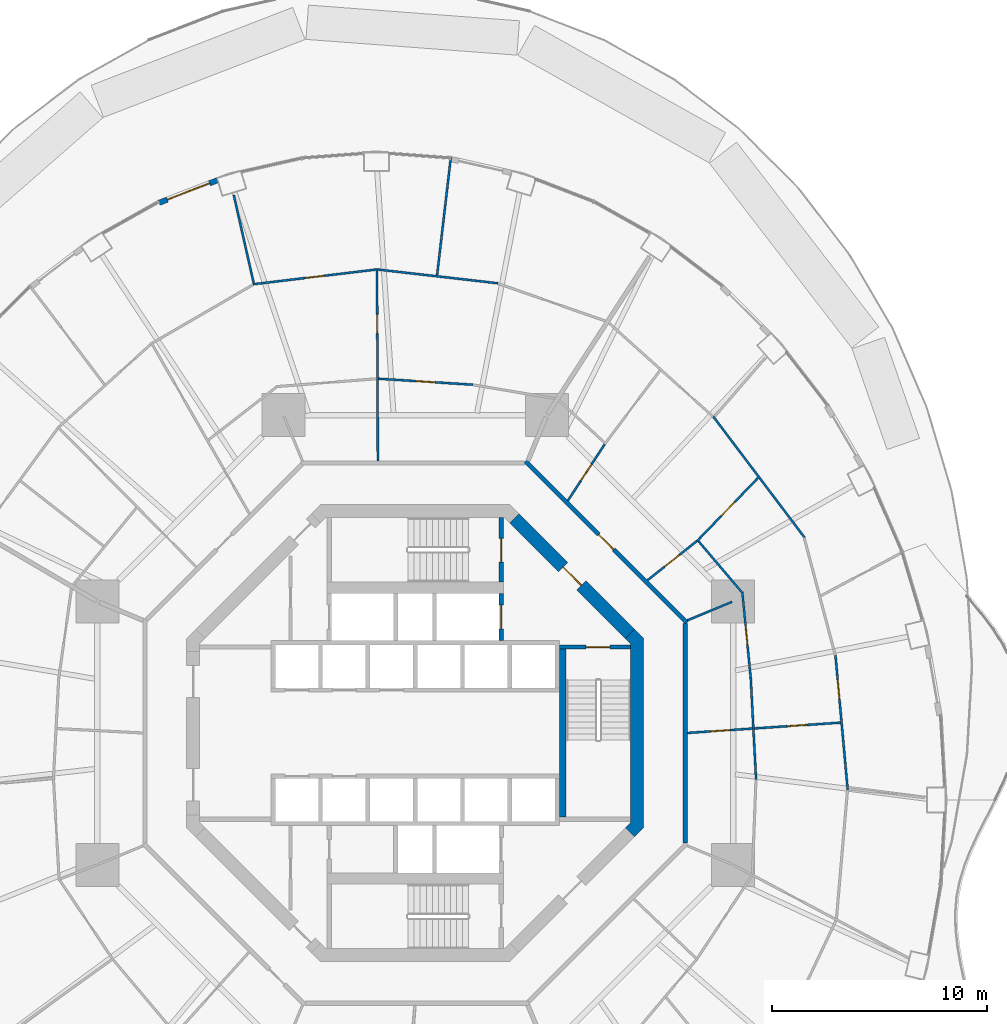
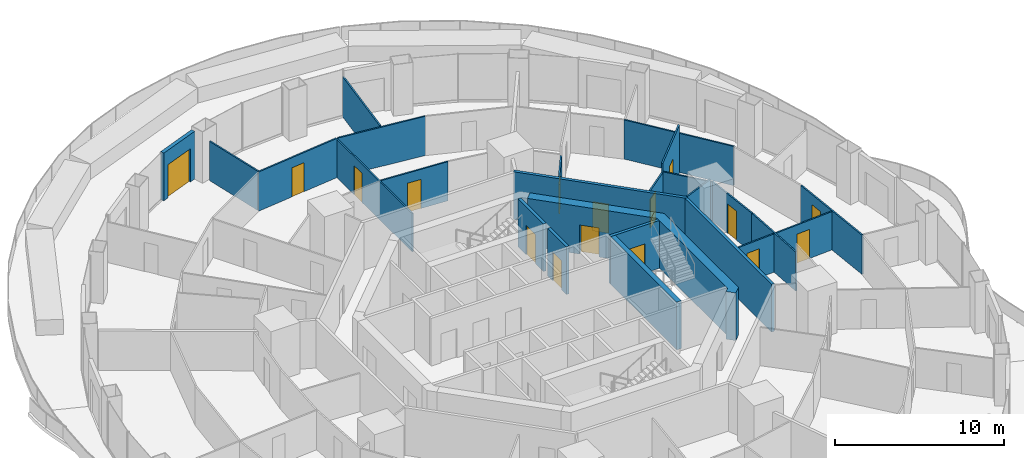
# One storey, part 16 of 20: 25 walls, 16 doors, 16 openings.
"""IFC4 building model written with IfcOpenShell, lengths in metres."""

from ifc_helpers import new_model, si_unit, direction, frame, frame_2d, origin, place, context, subcontext, project, spatial, polyline, rectangle, outline, extrude, material, layer, layer_set, type_object, element, fill, save


model = new_model("IFC4")

# Units and contexts
model_context = context("Model", 3, precision=1e-05, world=origin(), true_north=direction((0.0, 1.0)))
body_context = subcontext(model_context, "Body", "Model", "MODEL_VIEW")
ifc_project = project(units=[si_unit("LENGTHUNIT", "METRE"), si_unit("AREAUNIT", "SQUARE_METRE"), si_unit("VOLUMEUNIT", "CUBIC_METRE"), si_unit("PLANEANGLEUNIT", "RADIAN"), si_unit("MASSUNIT", "GRAM", prefix="KILO")], contexts=[model_context])

# Site, building, storey
site_placement = place(None, origin())
site = spatial("IfcSite", under=ifc_project, at=site_placement, CompositionType="ELEMENT")
building_placement = place(site_placement, origin())
building = spatial("IfcBuilding", under=site, at=building_placement, Name="Nagisa Residences", CompositionType="ELEMENT")
storey_placement = place(building_placement, frame((0.0, 0.0, 119.60009765625)))
storey = spatial("IfcBuildingStorey", under=building, at=storey_placement, Name="L29", CompositionType="ELEMENT", Elevation=119.60009765625)

# Wall
ifc_material_1 = material(Name="Gypsum board on steel studs", Category="steel")
ifc_layer_1 = layer(ifc_material_1, 0.199951171875)
ifc_layer_set_1 = layer_set([ifc_layer_1], Name="Apartment entry wall EI60 200")
wall_type_1 = type_object("IfcWallType", Name="Apartment entry wall EI60 200", PredefinedType="PARTITIONING", material=ifc_layer_set_1)
wall_1_placement = place(storey_placement, frame((12.564697265625, -5.1044921875, 0.0), z_axis=(0.0, 0.0, 1.0), x_axis=(0.0, 1.0, 0.0)))
element("IfcWall", 1, at=wall_1_placement, inside=storey, type_object=wall_type_1, Name="wall:L29:u06", PredefinedType="PARTITIONING", context=body_context, shape_type="SweptSolid", body=[
    extrude(rectangle(XDim=10.208984375, YDim=0.199951171875, at=frame_2d((5.1044921875, 0.0))), origin(), (0.0, 0.0, 1.0), 3.43994140625),
])

# Wall, opening, door
wall_2_placement = place(storey_placement, frame((12.635498046875, 5.1337890625, 0.0), z_axis=(0.0, 0.0, 1.0), x_axis=(-0.707106781187, 0.707106781187, 0.0)))
wall_2 = element("IfcWall", 2, at=wall_2_placement, inside=storey, type_object=wall_type_1, Name="wall:L29:u07", PredefinedType="PARTITIONING", context=body_context, shape_type="SweptSolid", body=[
    extrude(rectangle(XDim=10.609130859375, YDim=0.199951171875, at=frame_2d((5.3046875, 0.0))), origin(), (0.0, 0.0, 1.0), 3.43994140625),
])
opening_1_placement = place(wall_2_placement, frame((4.804443359375, 0.0, 0.0)))
opening_1 = element("IfcOpeningElement", 3, at=opening_1_placement, cuts=wall_2, Name="Opening L29-U35", PredefinedType="OPENING", context=body_context, shape_type="SweptSolid", body=[
    extrude(rectangle(XDim=1.0, YDim=2.10009765625, at=frame_2d((0.5, 1.050048828125))), frame((0.0, 0.10986328125, 0.0), z_axis=(0.0, -1.0, 0.0), x_axis=(1.0, 0.0, 0.0)), (0.0, 0.0, 1.0), 0.219970703125),
])
ifc_material_2 = material(Name="Timber fire door set", Category="wood")
door_type_1 = type_object("IfcDoorType", Name="Apartment entry door FD30S 1000x2100", OperationType="NOTDEFINED", PredefinedType="DOOR", material=ifc_material_2)
door_1_placement = place(opening_1_placement, frame((1.0, 0.0, 0.0), x_axis=(-1.0, 0.0, 0.0)))
door_1 = element("IfcDoor", 4, at=door_1_placement, inside=storey, type_object=door_type_1, Name="Entry door, Apartment 29C", OperationType="SINGLE_SWING_RIGHT", OverallHeight=2.10009765625, OverallWidth=1.0, PredefinedType="DOOR", context=body_context, shape_type="SweptSolid", body=[
    extrude(rectangle(XDim=1.0, YDim=2.10009765625, at=frame_2d((0.5, 1.050048828125))), frame((0.0, 0.02490234375, 0.0), z_axis=(0.0, -1.0, 0.0), x_axis=(1.0, 0.0, 0.0)), (0.0, 0.0, 1.0), 0.050048828125),
])
fill(opening_1, door_1)

# Wall
ifc_material_3 = material(Name="Gypsum board on steel studs", Category="steel")
ifc_layer_2 = layer(ifc_material_3, 0.10009765625)
ifc_layer_set_2 = layer_set([ifc_layer_2], Name="Apartment partition 100")
wall_type_2 = type_object("IfcWallType", Name="Apartment partition 100", PredefinedType="PARTITIONING", material=ifc_layer_set_2)
wall_3_placement = place(storey_placement, frame((15.853271484375, -2.158203125, 0.0), z_axis=(0.0, 0.0, 1.0), x_axis=(-0.052483289253, 0.99862180246, 0.0)))
element("IfcWall", 5, at=wall_3_placement, inside=storey, type_object=wall_type_2, Name="wall:L29:u14", PredefinedType="PARTITIONING", context=body_context, shape_type="SweptSolid", body=[
    extrude(rectangle(XDim=4.74951171875, YDim=0.10009765625, at=frame_2d((2.374755859375, 0.0))), origin(), (0.0, 0.0, 1.0), 2.827880859375),
])

# Wall, opening, door
wall_4_placement = place(storey_placement, frame((20.11474609375, -2.64208984375, 0.0), z_axis=(0.0, 0.0, 1.0), x_axis=(-0.090563746294, 0.995890660593, 0.0)))
wall_4 = element("IfcWall", 6, at=wall_4_placement, inside=storey, type_object=wall_type_2, Name="wall:L29:u17", PredefinedType="PARTITIONING", context=body_context, shape_type="SweptSolid", body=[
    extrude(rectangle(XDim=6.289306640625, YDim=0.10009765625, at=frame_2d((3.14453125, 0.0))), origin(), (0.0, 0.0, 1.0), 2.827880859375),
])
opening_2_placement = place(wall_4_placement, frame((4.241943359375, 0.0, 0.0)))
opening_2 = element("IfcOpeningElement", 7, at=opening_2_placement, cuts=wall_4, Name="Opening L29-U40", PredefinedType="OPENING", context=body_context, shape_type="SweptSolid", body=[
    extrude(rectangle(XDim=0.89990234375, YDim=2.10009765625, at=frame_2d((0.449951171875, 1.050048828125))), frame((0.0, 0.06005859375, 0.0), z_axis=(0.0, -1.0, 0.0), x_axis=(1.0, 0.0, 0.0)), (0.0, 0.0, 1.0), 0.1201171875),
])
ifc_material_4 = material(Name="Timber door set", Category="wood")
door_type_2 = type_object("IfcDoorType", Name="Apartment door 900x2100", OperationType="NOTDEFINED", PredefinedType="DOOR", material=ifc_material_4)
door_2_placement = place(opening_2_placement, frame((0.89990234375, 0.0, 0.0), x_axis=(-1.0, 0.0, 0.0)))
door_2 = element("IfcDoor", 8, at=door_2_placement, inside=storey, type_object=door_type_2, Name="Door to dining room, Apartment 29C", OperationType="SINGLE_SWING_LEFT", OverallHeight=2.10009765625, OverallWidth=0.89990234375, PredefinedType="DOOR", context=body_context, shape_type="SweptSolid", body=[
    extrude(rectangle(XDim=0.89990234375, YDim=2.10009765625, at=frame_2d((0.449951171875, 1.050048828125))), frame((0.0, 0.02490234375, 0.0), z_axis=(0.0, -1.0, 0.0), x_axis=(1.0, 0.0, 0.0)), (0.0, 0.0, 1.0), 0.050048828125),
])
fill(opening_2, door_2)

# Wall, openings, doors
wall_5_placement = place(storey_placement, frame((12.66455078125, 0.0068359375, 0.0), z_axis=(0.0, 0.0, 1.0), x_axis=(0.997737186236, 0.067234717233, 0.0)))
wall_5 = element("IfcWall", 9, at=wall_5_placement, inside=storey, type_object=wall_type_2, Name="wall:L29:u19", PredefinedType="PARTITIONING", context=body_context, shape_type="SweptSolid", body=[
    extrude(rectangle(XDim=7.131591796875, YDim=0.10009765625, at=frame_2d((3.56591796875, 0.0))), origin(), (0.0, 0.0, 1.0), 2.755859375),
])
opening_3_placement = place(wall_5_placement, frame((4.6513671875, 0.0, 0.0)))
opening_3 = element("IfcOpeningElement", 10, at=opening_3_placement, cuts=wall_5, Name="Opening L29-U44", PredefinedType="OPENING", context=body_context, shape_type="SweptSolid", body=[
    extrude(rectangle(XDim=0.89990234375, YDim=2.10009765625, at=frame_2d((0.449951171875, 1.050048828125))), frame((0.0, 0.06005859375, 0.0), z_axis=(0.0, -1.0, 0.0), x_axis=(1.0, 0.0, 0.0)), (0.0, 0.0, 1.0), 0.1201171875),
])
opening_4_placement = place(wall_5_placement, frame((1.08544921875, 0.0, 0.0)))
opening_4 = element("IfcOpeningElement", 11, at=opening_4_placement, cuts=wall_5, Name="Opening L29-U46", PredefinedType="OPENING", context=body_context, shape_type="SweptSolid", body=[
    extrude(rectangle(XDim=0.89990234375, YDim=2.10009765625, at=frame_2d((0.449951171875, 1.050048828125))), frame((0.0, 0.06005859375, 0.0), z_axis=(0.0, -1.0, 0.0), x_axis=(1.0, 0.0, 0.0)), (0.0, 0.0, 1.0), 0.1201171875),
])
door_3_placement = place(opening_3_placement, frame((0.89990234375, 0.0, 0.0), x_axis=(-1.0, 0.0, 0.0)))
door_3 = element("IfcDoor", 12, at=door_3_placement, inside=storey, type_object=door_type_2, Name="Door to study, Apartment 29C", OperationType="SINGLE_SWING_LEFT", OverallHeight=2.10009765625, OverallWidth=0.89990234375, PredefinedType="DOOR", context=body_context, shape_type="SweptSolid", body=[
    extrude(rectangle(XDim=0.89990234375, YDim=2.10009765625, at=frame_2d((0.449951171875, 1.050048828125))), frame((0.0, 0.02490234375, 0.0), z_axis=(0.0, -1.0, 0.0), x_axis=(1.0, 0.0, 0.0)), (0.0, 0.0, 1.0), 0.050048828125),
])
fill(opening_3, door_3)
door_4_placement = place(opening_4_placement, frame((0.89990234375, 0.0, 0.0), x_axis=(-1.0, 0.0, 0.0)))
door_4 = element("IfcDoor", 13, at=door_4_placement, inside=storey, type_object=door_type_2, Name="Door to store, Apartment 29C", OperationType="SINGLE_SWING_LEFT", OverallHeight=2.10009765625, OverallWidth=0.89990234375, PredefinedType="DOOR", context=body_context, shape_type="SweptSolid", body=[
    extrude(rectangle(XDim=0.89990234375, YDim=2.10009765625, at=frame_2d((0.449951171875, 1.050048828125))), frame((0.0, 0.02490234375, 0.0), z_axis=(0.0, -1.0, 0.0), x_axis=(1.0, 0.0, 0.0)), (0.0, 0.0, 1.0), 0.050048828125),
])
fill(opening_4, door_4)

# Wall, opening, door
wall_6_placement = place(storey_placement, frame((15.601806640625, 2.58447265625, 0.0), z_axis=(0.0, 0.0, 1.0), x_axis=(-0.097216297846, 0.995263277446, 0.0)))
wall_6 = element("IfcWall", 14, at=wall_6_placement, inside=storey, type_object=wall_type_2, Name="wall:L29:u20", PredefinedType="PARTITIONING", context=body_context, shape_type="SweptSolid", body=[
    extrude(rectangle(XDim=4.005615234375, YDim=0.10009765625, at=frame_2d((2.0029296875, 0.0))), origin(), (0.0, 0.0, 1.0), 2.827880859375),
])
opening_5_placement = place(wall_6_placement, frame((1.52783203125, 0.0, 0.0)))
opening_5 = element("IfcOpeningElement", 15, at=opening_5_placement, cuts=wall_6, Name="Opening L29-U43", PredefinedType="OPENING", context=body_context, shape_type="SweptSolid", body=[
    extrude(rectangle(XDim=0.89990234375, YDim=2.10009765625, at=frame_2d((0.449951171875, 1.050048828125))), frame((0.0, 0.06005859375, 0.0), z_axis=(0.0, -1.0, 0.0), x_axis=(1.0, 0.0, 0.0)), (0.0, 0.0, 1.0), 0.1201171875),
])
door_5_placement = place(opening_5_placement, origin())
door_5 = element("IfcDoor", 16, at=door_5_placement, inside=storey, type_object=door_type_2, Name="Door to laundry, Apartment 29C", OperationType="SINGLE_SWING_LEFT", OverallHeight=2.10009765625, OverallWidth=0.89990234375, PredefinedType="DOOR", context=body_context, shape_type="SweptSolid", body=[
    extrude(rectangle(XDim=0.89990234375, YDim=2.10009765625, at=frame_2d((0.449951171875, 1.050048828125))), frame((0.0, 0.02490234375, 0.0), z_axis=(0.0, -1.0, 0.0), x_axis=(1.0, 0.0, 0.0)), (0.0, 0.0, 1.0), 0.050048828125),
])
fill(opening_5, door_5)

# Walls
wall_7_placement = place(storey_placement, frame((12.6572265625, 5.24267578125, 0.0), z_axis=(0.0, 0.0, 1.0), x_axis=(0.923864733477, 0.382719158442, 0.0)))
element("IfcWall", 17, at=wall_7_placement, inside=storey, type_object=wall_type_2, Name="wall:L29:u23", PredefinedType="PARTITIONING", context=body_context, shape_type="SweptSolid", body=[
    extrude(rectangle(XDim=2.25, YDim=0.10009765625, at=frame_2d((1.125, 0.0))), origin(), (0.0, 0.0, 1.0), 3.43994140625),
])
wall_8_placement = place(storey_placement, frame((15.184814453125, 6.559326171875, 0.0), z_axis=(0.0, 0.0, 1.0), x_axis=(-0.647360926376, 0.762183594026, 0.0)))
element("IfcWall", 18, at=wall_8_placement, inside=storey, type_object=wall_type_2, Name="wall:L29:u24", PredefinedType="PARTITIONING", context=body_context, shape_type="SweptSolid", body=[
    extrude(rectangle(XDim=3.1064453125, YDim=0.10009765625, at=frame_2d((1.55322265625, 0.0))), origin(), (0.0, 0.0, 1.0), 2.827880859375),
])
wall_9_placement = place(storey_placement, frame((18.106201171875, 9.098388671875, 0.0), z_axis=(0.0, 0.0, 1.0), x_axis=(-0.602398572907, 0.798195439325, 0.0)))
element("IfcWall", 19, at=wall_9_placement, inside=storey, type_object=wall_type_2, Name="wall:L29:u25", PredefinedType="PARTITIONING", context=body_context, shape_type="SweptSolid", body=[
    extrude(rectangle(XDim=7.043701171875, YDim=0.10009765625, at=frame_2d((3.52197265625, 0.0))), origin(), (0.0, 0.0, 1.0), 2.827880859375),
])

# Wall, opening, door
wall_10_placement = place(storey_placement, frame((10.802978515625, 7.106689453125, 0.0), z_axis=(0.0, 0.0, 1.0), x_axis=(0.782908385935, 0.622137010017, 0.0)))
wall_10 = element("IfcWall", 20, at=wall_10_placement, inside=storey, type_object=wall_type_2, Name="wall:L29:u26", PredefinedType="PARTITIONING", context=body_context, shape_type="SweptSolid", body=[
    extrude(rectangle(XDim=2.93701171875, YDim=0.10009765625, at=frame_2d((1.468505859375, 0.0))), origin(), (0.0, 0.0, 1.0), 2.755859375),
])
opening_6_placement = place(wall_10_placement, frame((1.0185546875, 0.0, 0.0)))
opening_6 = element("IfcOpeningElement", 21, at=opening_6_placement, cuts=wall_10, Name="Opening L29-U36", PredefinedType="OPENING", context=body_context, shape_type="SweptSolid", body=[
    extrude(rectangle(XDim=0.89990234375, YDim=2.10009765625, at=frame_2d((0.449951171875, 1.050048828125))), frame((0.0, 0.06005859375, 0.0), z_axis=(0.0, -1.0, 0.0), x_axis=(1.0, 0.0, 0.0)), (0.0, 0.0, 1.0), 0.1201171875),
])
door_6_placement = place(opening_6_placement, frame((0.89990234375, 0.0, 0.0), x_axis=(-1.0, 0.0, 0.0)))
door_6 = element("IfcDoor", 22, at=door_6_placement, inside=storey, type_object=door_type_2, Name="Door to family bathroom, Apartment 29C", OperationType="SINGLE_SWING_LEFT", OverallHeight=2.10009765625, OverallWidth=0.89990234375, PredefinedType="DOOR", context=body_context, shape_type="SweptSolid", body=[
    extrude(rectangle(XDim=0.89990234375, YDim=2.10009765625, at=frame_2d((0.449951171875, 1.050048828125))), frame((0.0, 0.02490234375, 0.0), z_axis=(0.0, -1.0, 0.0), x_axis=(1.0, 0.0, 0.0)), (0.0, 0.0, 1.0), 0.050048828125),
])
fill(opening_6, door_6)

wall_11_placement = place(storey_placement, frame((13.106689453125, 8.928955078125, 0.0), z_axis=(0.0, 0.0, 1.0), x_axis=(0.694592384931, 0.719403515974, 0.0)))
wall_11 = element("IfcWall", 23, at=wall_11_placement, inside=storey, type_object=wall_type_2, Name="wall:L29:u27", PredefinedType="PARTITIONING", context=body_context, shape_type="SweptSolid", body=[
    extrude(rectangle(XDim=4.093505859375, YDim=0.10009765625, at=frame_2d((2.046875, 0.0))), origin(), (0.0, 0.0, 1.0), 3.43994140625),
])
opening_7_placement = place(wall_11_placement, frame((1.62158203125, 0.0, 0.0)))
opening_7 = element("IfcOpeningElement", 24, at=opening_7_placement, cuts=wall_11, Name="Opening L29-U38", PredefinedType="OPENING", context=body_context, shape_type="SweptSolid", body=[
    extrude(rectangle(XDim=0.89990234375, YDim=2.10009765625, at=frame_2d((0.449951171875, 1.050048828125))), frame((0.0, 0.06005859375, 0.0), z_axis=(0.0, -1.0, 0.0), x_axis=(1.0, 0.0, 0.0)), (0.0, 0.0, 1.0), 0.1201171875),
])
door_7_placement = place(opening_7_placement, frame((0.89990234375, 0.0, 0.0), x_axis=(-1.0, 0.0, 0.0)))
door_7 = element("IfcDoor", 25, at=door_7_placement, inside=storey, type_object=door_type_2, Name="Door to dining room, Apartment 29C", OperationType="SINGLE_SWING_LEFT", OverallHeight=2.10009765625, OverallWidth=0.89990234375, PredefinedType="DOOR", context=body_context, shape_type="SweptSolid", body=[
    extrude(rectangle(XDim=0.89990234375, YDim=2.10009765625, at=frame_2d((0.449951171875, 1.050048828125))), frame((0.0, 0.02490234375, 0.0), z_axis=(0.0, -1.0, 0.0), x_axis=(1.0, 0.0, 0.0)), (0.0, 0.0, 1.0), 0.050048828125),
])
fill(opening_7, door_7)

wall_12_placement = place(storey_placement, frame((7.09912109375, 10.808349609375, 0.0), z_axis=(0.0, 0.0, 1.0), x_axis=(0.546709757921, 0.837322184463, 0.0)))
wall_12 = element("IfcWall", 26, at=wall_12_placement, inside=storey, type_object=wall_type_2, Name="wall:L29:u30", PredefinedType="PARTITIONING", context=body_context, shape_type="SweptSolid", body=[
    extrude(rectangle(XDim=3.133544921875, YDim=0.10009765625, at=frame_2d((1.56689453125, 0.0))), origin(), (0.0, 0.0, 1.0), 2.755859375),
])
opening_8_placement = place(wall_12_placement, frame((1.11669921875, 0.0, 0.0)))
opening_8 = element("IfcOpeningElement", 27, at=opening_8_placement, cuts=wall_12, Name="Opening L29-U37", PredefinedType="OPENING", context=body_context, shape_type="SweptSolid", body=[
    extrude(rectangle(XDim=0.89990234375, YDim=2.10009765625, at=frame_2d((0.449951171875, 1.050048828125))), frame((0.0, 0.06005859375, 0.0), z_axis=(0.0, -1.0, 0.0), x_axis=(1.0, 0.0, 0.0)), (0.0, 0.0, 1.0), 0.1201171875),
])
door_8_placement = place(opening_8_placement, origin())
door_8 = element("IfcDoor", 28, at=door_8_placement, inside=storey, type_object=door_type_2, Name="Door to family bathroom, Apartment 29C", OperationType="SINGLE_SWING_LEFT", OverallHeight=2.10009765625, OverallWidth=0.89990234375, PredefinedType="DOOR", context=body_context, shape_type="SweptSolid", body=[
    extrude(rectangle(XDim=0.89990234375, YDim=2.10009765625, at=frame_2d((0.449951171875, 1.050048828125))), frame((0.0, 0.02490234375, 0.0), z_axis=(0.0, -1.0, 0.0), x_axis=(1.0, 0.0, 0.0)), (0.0, 0.0, 1.0), 0.050048828125),
])
fill(opening_8, door_8)

wall_13_placement = place(storey_placement, frame((2.6845703125, 16.2021484375, 0.0), z_axis=(0.0, 0.0, 1.0), x_axis=(-0.998000808042, 0.063201164138, 0.0)))
wall_13 = element("IfcWall", 29, at=wall_13_placement, inside=storey, type_object=wall_type_2, Name="wall:L29:u35", PredefinedType="PARTITIONING", context=body_context, shape_type="SweptSolid", body=[
    extrude(rectangle(XDim=4.39599609375, YDim=0.10009765625, at=frame_2d((2.197998046875, 0.0))), origin(), (0.0, 0.0, 1.0), 2.827880859375),
])
opening_9_placement = place(wall_13_placement, frame((1.77294921875, 0.0, 0.0)))
opening_9 = element("IfcOpeningElement", 30, at=opening_9_placement, cuts=wall_13, Name="Opening L29-U13", PredefinedType="OPENING", context=body_context, shape_type="SweptSolid", body=[
    extrude(rectangle(XDim=0.89990234375, YDim=2.10009765625, at=frame_2d((0.449951171875, 1.050048828125))), frame((0.0, 0.06005859375, 0.0), z_axis=(0.0, -1.0, 0.0), x_axis=(1.0, 0.0, 0.0)), (0.0, 0.0, 1.0), 0.1201171875),
])
door_9_placement = place(opening_9_placement, origin())
door_9 = element("IfcDoor", 31, at=door_9_placement, inside=storey, type_object=door_type_2, Name="Door to laundry, Apartment 29A", OperationType="SINGLE_SWING_LEFT", OverallHeight=2.10009765625, OverallWidth=0.89990234375, PredefinedType="DOOR", context=body_context, shape_type="SweptSolid", body=[
    extrude(rectangle(XDim=0.89990234375, YDim=2.10009765625, at=frame_2d((0.449951171875, 1.050048828125))), frame((0.0, 0.02490234375, 0.0), z_axis=(0.0, -1.0, 0.0), x_axis=(1.0, 0.0, 0.0)), (0.0, 0.0, 1.0), 0.050048828125),
])
fill(opening_9, door_9)

# Walls
wall_14_placement = place(storey_placement, frame((3.850830078125, 20.9189453125, 0.0), z_axis=(0.0, 0.0, 1.0), x_axis=(-0.993519908136, 0.11365822512, 0.0)))
element("IfcWall", 32, at=wall_14_placement, inside=storey, type_object=wall_type_2, Name="wall:L29:u36", PredefinedType="PARTITIONING", context=body_context, shape_type="SweptSolid", body=[
    extrude(rectangle(XDim=5.61279296875, YDim=0.10009765625, at=frame_2d((2.806396484375, 0.0))), origin(), (0.0, 0.0, 1.0), 2.827880859375),
])
wall_15_placement = place(storey_placement, frame((1.018798828125, 21.293212890625, 0.0), z_axis=(0.0, 0.0, 1.0), x_axis=(0.11589741608, 0.993261188684, 0.0)))
element("IfcWall", 33, at=wall_15_placement, inside=storey, type_object=wall_type_2, Name="wall:L29:u37", PredefinedType="PARTITIONING", context=body_context, shape_type="SweptSolid", body=[
    extrude(rectangle(XDim=5.523193359375, YDim=0.10009765625, at=frame_2d((2.76171875, 0.0))), origin(), (0.0, 0.0, 1.0), 2.90478515625),
])

# Wall, opening, door
wall_16_placement = place(storey_placement, frame((-1.7353515625, 12.664794921875, 0.0), z_axis=(0.0, 0.0, 1.0), x_axis=(-0.004474716456, 0.999989988406, 0.0)))
wall_16 = element("IfcWall", 34, at=wall_16_placement, inside=storey, type_object=wall_type_2, Name="wall:L29:u38", PredefinedType="PARTITIONING", context=body_context, shape_type="SweptSolid", body=[
    extrude(rectangle(XDim=8.94775390625, YDim=0.10009765625, at=frame_2d((4.473876953125, 0.0))), origin(), (0.0, 0.0, 1.0), 2.755859375),
])
opening_10_placement = place(wall_16_placement, frame((5.908203125, 0.0, 0.0)))
opening_10 = element("IfcOpeningElement", 35, at=opening_10_placement, cuts=wall_16, Name="Opening L29-U10", PredefinedType="OPENING", context=body_context, shape_type="SweptSolid", body=[
    extrude(rectangle(XDim=0.89990234375, YDim=2.10009765625, at=frame_2d((0.449951171875, 1.050048828125))), frame((0.0, 0.06005859375, 0.0), z_axis=(0.0, -1.0, 0.0), x_axis=(1.0, 0.0, 0.0)), (0.0, 0.0, 1.0), 0.1201171875),
])
door_10_placement = place(opening_10_placement, frame((0.89990234375, 0.0, 0.0), x_axis=(-1.0, 0.0, 0.0)))
door_10 = element("IfcDoor", 36, at=door_10_placement, inside=storey, type_object=door_type_2, Name="Door to kitchen, Apartment 29A", OperationType="SINGLE_SWING_LEFT", OverallHeight=2.10009765625, OverallWidth=0.89990234375, PredefinedType="DOOR", context=body_context, shape_type="SweptSolid", body=[
    extrude(rectangle(XDim=0.89990234375, YDim=2.10009765625, at=frame_2d((0.449951171875, 1.050048828125))), frame((0.0, 0.02490234375, 0.0), z_axis=(0.0, -1.0, 0.0), x_axis=(1.0, 0.0, 0.0)), (0.0, 0.0, 1.0), 0.050048828125),
])
fill(opening_10, door_10)

wall_17_placement = place(storey_placement, frame((-1.824951171875, 21.556640625, 0.0), z_axis=(0.0, 0.0, 1.0), x_axis=(-0.992915657947, -0.118821278412, 0.0)))
wall_17 = element("IfcWall", 37, at=wall_17_placement, inside=storey, type_object=wall_type_2, Name="wall:L29:u40", PredefinedType="PARTITIONING", context=body_context, shape_type="SweptSolid", body=[
    extrude(rectangle(XDim=5.765380859375, YDim=0.10009765625, at=frame_2d((2.8828125, 0.0))), origin(), (0.0, 0.0, 1.0), 2.827880859375),
])
opening_11_placement = place(wall_17_placement, frame((2.40771484375, 0.0, 0.0)))
opening_11 = element("IfcOpeningElement", 38, at=opening_11_placement, cuts=wall_17, Name="Opening L29-U06", PredefinedType="OPENING", context=body_context, shape_type="SweptSolid", body=[
    extrude(rectangle(XDim=0.89990234375, YDim=2.10009765625, at=frame_2d((0.449951171875, 1.050048828125))), frame((0.0, 0.06005859375, 0.0), z_axis=(0.0, -1.0, 0.0), x_axis=(1.0, 0.0, 0.0)), (0.0, 0.0, 1.0), 0.1201171875),
])
door_11_placement = place(opening_11_placement, frame((0.89990234375, 0.0, 0.0), x_axis=(-1.0, 0.0, 0.0)))
door_11 = element("IfcDoor", 39, at=door_11_placement, inside=storey, type_object=door_type_2, Name="Door to master bedroom, Apartment 29A", OperationType="SINGLE_SWING_LEFT", OverallHeight=2.10009765625, OverallWidth=0.89990234375, PredefinedType="DOOR", context=body_context, shape_type="SweptSolid", body=[
    extrude(rectangle(XDim=0.89990234375, YDim=2.10009765625, at=frame_2d((0.449951171875, 1.050048828125))), frame((0.0, 0.02490234375, 0.0), z_axis=(0.0, -1.0, 0.0), x_axis=(1.0, 0.0, 0.0)), (0.0, 0.0, 1.0), 0.050048828125),
])
fill(opening_11, door_11)

# Wall
wall_18_placement = place(storey_placement, frame((-7.5107421875, 20.926513671875, 0.0), z_axis=(0.0, 0.0, 1.0), x_axis=(-0.220337559031, 0.975423682345, 0.0)))
element("IfcWall", 40, at=wall_18_placement, inside=storey, type_object=wall_type_2, Name="wall:L29:u43", PredefinedType="PARTITIONING", context=body_context, shape_type="SweptSolid", body=[
    extrude(rectangle(XDim=4.20166015625, YDim=0.10009765625, at=frame_2d((2.100830078125, 0.0))), origin(), (0.0, 0.0, 1.0), 2.827880859375),
])

# Wall, opening, door
ifc_material_5 = material(Name="Precast concrete C40/50", Category="concrete")
ifc_layer_3 = layer(ifc_material_5, 0.25)
ifc_layer_set_3 = layer_set([ifc_layer_3], Name="BALCONY DOOR WALL 250")
wall_type_3 = type_object("IfcWallType", Name="BALCONY DOOR WALL 250", PredefinedType="SOLIDWALL", material=ifc_layer_set_3)
wall_19_placement = place(storey_placement, frame((-11.909423828125, 24.662353515625, 0.0), z_axis=(0.0, 0.0, 1.0), x_axis=(0.932845344347, 0.360277064952, 0.0)))
wall_19 = element("IfcWall", 41, at=wall_19_placement, inside=storey, type_object=wall_type_3, Name="wall:L29:bay14", PredefinedType="SOLIDWALL", context=body_context, shape_type="SweptSolid", body=[
    extrude(rectangle(XDim=2.92333984375, YDim=0.25, at=frame_2d((1.461669921875, 0.0))), origin(), (0.0, 0.0, 1.0), 3.43994140625),
])
opening_12_placement = place(wall_19_placement, frame((0.41162109375, 0.0, 0.0)))
opening_12 = element("IfcOpeningElement", 42, at=opening_12_placement, cuts=wall_19, Name="Opening BD-L29-05", PredefinedType="OPENING", context=body_context, shape_type="SweptSolid", body=[
    extrude(rectangle(XDim=2.10009765625, YDim=2.39990234375, at=frame_2d((1.050048828125, 1.199951171875))), frame((0.0, 0.135009765625, 0.0), z_axis=(0.0, -1.0, 0.0), x_axis=(1.0, 0.0, 0.0)), (0.0, 0.0, 1.0), 0.27001953125),
])
ifc_material_6 = material(Name="Aluminium and clear glass", Category="aluminium")
door_type_3 = type_object("IfcDoorType", Name="BALCONY SLIDING DOOR 2100x2400", OperationType="SLIDING_TO_LEFT", PredefinedType="DOOR", material=ifc_material_6)
door_12_placement = place(opening_12_placement, origin())
door_12 = element("IfcDoor", 43, at=door_12_placement, inside=storey, type_object=door_type_3, Name="door:L29:bay14", OperationType="SLIDING_TO_LEFT", OverallHeight=2.39990234375, OverallWidth=2.10009765625, PredefinedType="DOOR", context=body_context, shape_type="SweptSolid", body=[
    extrude(rectangle(XDim=2.10009765625, YDim=2.39990234375, at=frame_2d((1.050048828125, 1.199951171875))), frame((0.0, 0.02490234375, 0.0), z_axis=(0.0, -1.0, 0.0), x_axis=(1.0, 0.0, 0.0)), (0.0, 0.0, 1.0), 0.050048828125),
])
fill(opening_12, door_12)

ifc_material_7 = material(Name="Concrete C60", Category="concrete")
ifc_layer_4 = layer(ifc_material_7, 0.60009765625)
ifc_layer_set_4 = layer_set([ifc_layer_4], Name="Core shear wall 600")
wall_type_4 = type_object("IfcWallType", Name="Core shear wall 600", PredefinedType="SHEAR", material=ifc_layer_set_4)
wall_20_placement = place(storey_placement, frame((9.98828125, 4.613037109375, 0.0), z_axis=(0.0, 0.0, 1.0), x_axis=(-0.707106781187, 0.707106781187, 0.0)))
wall_20 = element("IfcWall", 44, at=wall_20_placement, inside=storey, type_object=wall_type_4, Name="wall:L29:core:flat1", PredefinedType="SHEAR", context=body_context, shape_type="SweptSolid", body=[
    extrude(rectangle(XDim=7.601806640625, YDim=0.60009765625, at=frame_2d((3.80078125, 0.0))), origin(), (0.0, 0.0, 1.0), 3.43994140625),
])
opening_13_placement = place(wall_20_placement, frame((3.200927734375, 0.0, 0.0)))
opening_13 = element("IfcOpeningElement", 45, at=opening_13_placement, cuts=wall_20, Name="Opening L29-C15", PredefinedType="OPENING", context=body_context, shape_type="SweptSolid", body=[
    extrude(rectangle(XDim=1.199951171875, YDim=2.10009765625, at=frame_2d((0.60009765625, 1.050048828125))), frame((0.0, 0.31005859375, 0.0), z_axis=(0.0, -1.0, 0.0), x_axis=(1.0, 0.0, 0.0)), (0.0, 0.0, 1.0), 0.6201171875),
])
ifc_material_8 = material(Name="Steel fire door", Category="steel")
door_type_4 = type_object("IfcDoorType", Name="Fire door EI60 1200x2100 single swing", OperationType="NOTDEFINED", PredefinedType="DOOR", material=ifc_material_8)
door_13_placement = place(opening_13_placement, origin())
door_13 = element("IfcDoor", 46, at=door_13_placement, inside=storey, type_object=door_type_4, Name="Firefighting lobby 1 door L29", OperationType="SINGLE_SWING_RIGHT", OverallHeight=2.10009765625, OverallWidth=1.199951171875, PredefinedType="DOOR", context=body_context, shape_type="SweptSolid", body=[
    extrude(rectangle(XDim=1.199951171875, YDim=2.10009765625, at=frame_2d((0.60009765625, 1.050048828125))), frame((0.0, 0.02490234375, 0.0), z_axis=(0.0, -1.0, 0.0), x_axis=(1.0, 0.0, 0.0)), (0.0, 0.0, 1.0), 0.050048828125),
])
fill(opening_13, door_13)

# Wall
wall_21_placement = place(storey_placement, origin())
element("IfcWall", 47, at=wall_21_placement, inside=storey, type_object=wall_type_4, Name="wall:L29:core:flat0", PredefinedType="SHEAR", context=body_context, shape_type="SweptSolid", body=[
    extrude(outline(polyline([(9.776123046875, -4.40087890625), (10.024658203125, -4.15234375), (10.024658203125, -3.801025390625), (10.024658203125, 4.15234375), (9.776123046875, 4.40087890625), (10.200439453125, 4.8251953125), (10.62451171875, 4.40087890625), (10.62451171875, -4.40087890625), (10.200439453125, -4.8251953125), (9.776123046875, -4.40087890625)])), origin(), (0.0, 0.0, 1.0), 3.43994140625),
])

# Wall, opening, door
ifc_material_9 = material(Name="Concrete C60", Category="concrete")
ifc_layer_5 = layer(ifc_material_9, 0.199951171875)
ifc_layer_set_5 = layer_set([ifc_layer_5], Name="Lift shaft wall 200")
wall_type_5 = type_object("IfcWallType", Name="Lift shaft wall 200", PredefinedType="SOLIDWALL", material=ifc_layer_set_5)
wall_22_placement = place(storey_placement, frame((4.0, 4.300048828125, 0.0), z_axis=(0.0, 0.0, 1.0), x_axis=(0.0, 1.0, 0.0)))
wall_22 = element("IfcWall", 48, at=wall_22_placement, inside=storey, type_object=wall_type_5, Name="wall:L29:Nb3", PredefinedType="SOLIDWALL", context=body_context, shape_type="SweptSolid", body=[
    extrude(rectangle(XDim=2.199951171875, YDim=0.199951171875, at=frame_2d((1.10009765625, 0.0))), origin(), (0.0, 0.0, 1.0), 3.43994140625),
])
opening_14_placement = place(wall_22_placement, frame((0.550048828125, 0.0, 0.0)))
opening_14 = element("IfcOpeningElement", 49, at=opening_14_placement, cuts=wall_22, Name="Opening L29-C06", PredefinedType="OPENING", context=body_context, shape_type="SweptSolid", body=[
    extrude(rectangle(XDim=1.10009765625, YDim=2.10009765625, at=frame_2d((0.550048828125, 1.050048828125))), frame((0.0, 0.10986328125, 0.0), z_axis=(0.0, -1.0, 0.0), x_axis=(1.0, 0.0, 0.0)), (0.0, 0.0, 1.0), 0.219970703125),
])
ifc_material_10 = material(Name="Stainless steel", Category="steel")
door_type_5 = type_object("IfcDoorType", Name="Lift landing door 1100x2100", OperationType="DOUBLE_DOOR_SLIDING", PredefinedType="DOOR", material=ifc_material_10)
door_14_placement = place(opening_14_placement, origin())
door_14 = element("IfcDoor", 50, at=door_14_placement, inside=storey, type_object=door_type_5, Name="Landing door FL1 L29", OperationType="DOUBLE_DOOR_SLIDING", OverallHeight=2.10009765625, OverallWidth=1.10009765625, PredefinedType="DOOR", context=body_context, shape_type="SweptSolid", body=[
    extrude(rectangle(XDim=1.10009765625, YDim=2.10009765625, at=frame_2d((0.550048828125, 1.050048828125))), frame((0.0, 0.02490234375, 0.0), z_axis=(0.0, -1.0, 0.0), x_axis=(1.0, 0.0, 0.0)), (0.0, 0.0, 1.0), 0.050048828125),
])
fill(opening_14, door_14)

ifc_material_11 = material(Name="Concrete C60", Category="concrete")
ifc_layer_6 = layer(ifc_material_11, 0.199951171875)
ifc_layer_set_6 = layer_set([ifc_layer_6], Name="Stair enclosure wall 200")
wall_type_6 = type_object("IfcWallType", Name="Stair enclosure wall 200", PredefinedType="SOLIDWALL", material=ifc_layer_set_6)
wall_23_placement = place(storey_placement, frame((6.699951171875, 4.0, 0.0), z_axis=(0.0, 0.0, 1.0), x_axis=(1.0, 0.0, 0.0)))
wall_23 = element("IfcWall", 51, at=wall_23_placement, inside=storey, type_object=wall_type_6, Name="wall:L29:SE_n", PredefinedType="SOLIDWALL", context=body_context, shape_type="SweptSolid", body=[
    extrude(rectangle(XDim=3.32470703125, YDim=0.199951171875, at=frame_2d((1.662353515625, 0.0))), origin(), (0.0, 0.0, 1.0), 3.43994140625),
])
opening_15_placement = place(wall_23_placement, frame((1.25, 0.0, 0.0)))
opening_15 = element("IfcOpeningElement", 52, at=opening_15_placement, cuts=wall_23, Name="Opening L29-C09", PredefinedType="OPENING", context=body_context, shape_type="SweptSolid", body=[
    extrude(rectangle(XDim=1.10009765625, YDim=2.10009765625, at=frame_2d((0.550048828125, 1.050048828125))), frame((0.0, 0.10986328125, 0.0), z_axis=(0.0, -1.0, 0.0), x_axis=(1.0, 0.0, 0.0)), (0.0, 0.0, 1.0), 0.219970703125),
])
ifc_material_12 = material(Name="Steel fire door", Category="steel")
door_type_6 = type_object("IfcDoorType", Name="Fire door EI90 1100x2100 single swing", OperationType="NOTDEFINED", PredefinedType="DOOR", material=ifc_material_12)
door_15_placement = place(opening_15_placement, frame((1.10009765625, 0.0, 0.0), x_axis=(-1.0, 0.0, 0.0)))
door_15 = element("IfcDoor", 53, at=door_15_placement, inside=storey, type_object=door_type_6, Name="Stair door ST-E L29", OperationType="SINGLE_SWING_LEFT", OverallHeight=2.10009765625, OverallWidth=1.10009765625, PredefinedType="DOOR", context=body_context, shape_type="SweptSolid", body=[
    extrude(rectangle(XDim=1.10009765625, YDim=2.10009765625, at=frame_2d((0.550048828125, 1.050048828125))), frame((0.0, 0.02490234375, 0.0), z_axis=(0.0, -1.0, 0.0), x_axis=(1.0, 0.0, 0.0)), (0.0, 0.0, 1.0), 0.050048828125),
])
fill(opening_15, door_15)

wall_24_placement = place(storey_placement, frame((4.0, 7.024658203125, 0.0), z_axis=(0.0, 0.0, 1.0), x_axis=(0.0, 1.0, 0.0)))
wall_24 = element("IfcWall", 54, at=wall_24_placement, inside=storey, type_object=wall_type_6, Name="wall:L29:SN_e", PredefinedType="SOLIDWALL", context=body_context, shape_type="SweptSolid", body=[
    extrude(rectangle(XDim=3.0, YDim=0.199951171875, at=frame_2d((1.5, 0.0))), origin(), (0.0, 0.0, 1.0), 3.43994140625),
])
opening_16_placement = place(wall_24_placement, frame((0.92529296875, 0.0, 0.0)))
opening_16 = element("IfcOpeningElement", 55, at=opening_16_placement, cuts=wall_24, Name="Opening L29-C10", PredefinedType="OPENING", context=body_context, shape_type="SweptSolid", body=[
    extrude(rectangle(XDim=1.10009765625, YDim=2.10009765625, at=frame_2d((0.550048828125, 1.050048828125))), frame((0.0, 0.10986328125, 0.0), z_axis=(0.0, -1.0, 0.0), x_axis=(1.0, 0.0, 0.0)), (0.0, 0.0, 1.0), 0.219970703125),
])
door_16_placement = place(opening_16_placement, origin())
door_16 = element("IfcDoor", 56, at=door_16_placement, inside=storey, type_object=door_type_6, Name="Stair door ST-N L29", OperationType="SINGLE_SWING_RIGHT", OverallHeight=2.10009765625, OverallWidth=1.10009765625, PredefinedType="DOOR", context=body_context, shape_type="SweptSolid", body=[
    extrude(rectangle(XDim=1.10009765625, YDim=2.10009765625, at=frame_2d((0.550048828125, 1.050048828125))), frame((0.0, 0.02490234375, 0.0), z_axis=(0.0, -1.0, 0.0), x_axis=(1.0, 0.0, 0.0)), (0.0, 0.0, 1.0), 0.050048828125),
])
fill(opening_16, door_16)

# Wall
wall_25_placement = place(storey_placement, origin())
element("IfcWall", 57, at=wall_25_placement, inside=storey, type_object=wall_type_6, Name="wall:L29:SE_w", PredefinedType="SOLIDWALL", context=body_context, shape_type="SweptSolid", body=[
    extrude(outline(polyline([(7.024658203125, -3.89990234375), (6.699951171875, -3.89990234375), (6.699951171875, 3.89990234375), (7.024658203125, 3.89990234375), (7.024658203125, -3.89990234375)])), origin(), (0.0, 0.0, 1.0), 3.43994140625),
])

save(model, "model.ifc")
